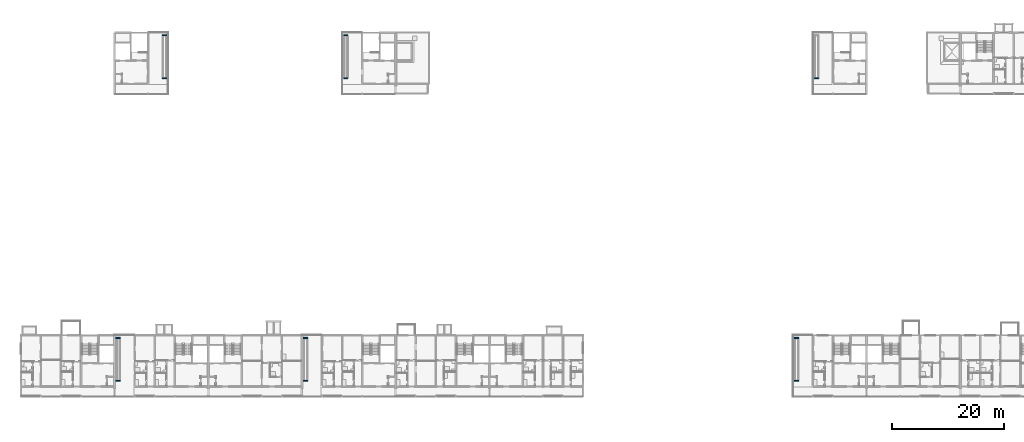
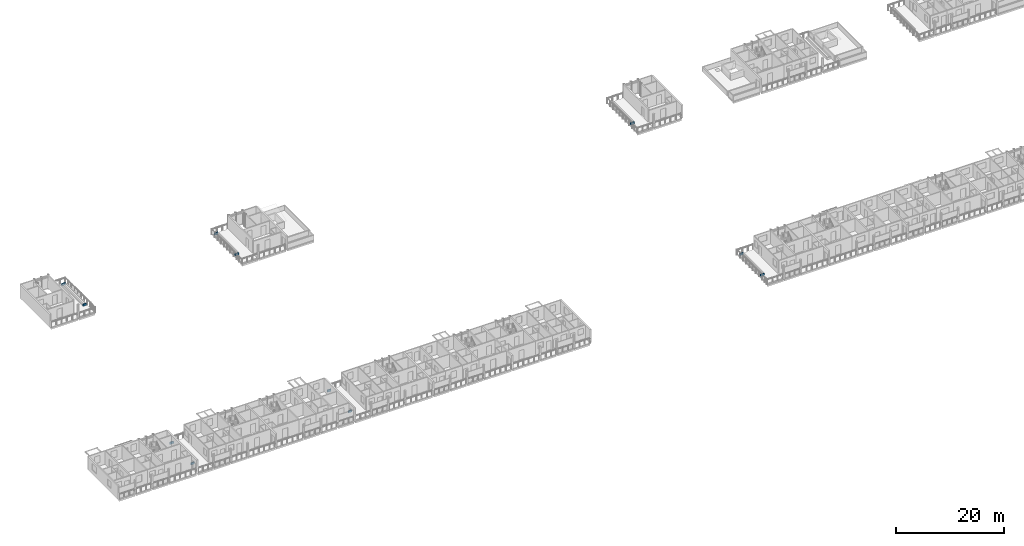
# One storey, part 51 of 78: 11 walls.
"""IFC4 building model written with IfcOpenShell, lengths in metres."""

from ifc_helpers import new_model, si_unit, direction, frame, frame_2d, origin, place, context, subcontext, project, spatial, rectangle, extrude, material, layer, layer_set, type_object, element, save


model = new_model("IFC4")

# Units and contexts
model_context = context("Model", 3, precision=1e-05, world=origin(), true_north=direction((0.0, 1.0)))
body_context = subcontext(model_context, "Body", "Model", "MODEL_VIEW")
ifc_project = project(units=[si_unit("LENGTHUNIT", "METRE"), si_unit("AREAUNIT", "SQUARE_METRE"), si_unit("VOLUMEUNIT", "CUBIC_METRE"), si_unit("PLANEANGLEUNIT", "RADIAN"), si_unit("MASSUNIT", "GRAM", prefix="KILO")], contexts=[model_context])

# Site, building, storey
site_placement = place(None, origin())
site = spatial("IfcSite", under=ifc_project, at=site_placement, CompositionType="ELEMENT")
building_placement = place(site_placement, origin())
building = spatial("IfcBuilding", under=site, at=building_placement, Name="Ridgestep Commons", CompositionType="ELEMENT")
storey_placement = place(building_placement, frame((0.0, 0.0, 30.0)))
storey = spatial("IfcBuildingStorey", under=building, at=storey_placement, Name="L10", CompositionType="ELEMENT", Elevation=30.0)

# Walls
ifc_material = material(Name="Facing brick", Category="masonry")
ifc_layer = layer(ifc_material, 0.199951171875)
ifc_layer_set = layer_set([ifc_layer], Name="Planter wall 200")
wall_type = type_object("IfcWallType", Name="Planter wall 200", PredefinedType="SOLIDWALL", material=ifc_layer_set)
for number, where, z_axis, x_axis, name in (
    (1, (29.050048828125, 14.64990234375, 0.010009765625), (0.0, 0.0, 1.0), (1.0, 0.0, 0.0), "Planter wall A2R1S"),
    (2, (29.050048828125, 22.35009765625, 0.010009765625), (0.0, 0.0, 1.0), (1.0, 0.0, 0.0), "Planter wall A2R1N"),
    (3, (62.64990234375, 14.64990234375, 0.010009765625), (0.0, 0.0, 1.0), (1.0, 0.0, 0.0), "Planter wall A4R1S"),
    (4, (62.64990234375, 22.35009765625, 0.010009765625), (0.0, 0.0, 1.0), (1.0, 0.0, 0.0), "Planter wall A4R1N"),
    (5, (150.64990234375, 14.64990234375, 0.010009765625), (0.0, 0.0, 1.0), (1.0, 0.0, 0.0), "Planter wall D1R2S"),
    (6, (150.64990234375, 22.35009765625, 0.010009765625), (0.0, 0.0, 1.0), (1.0, 0.0, 0.0), "Planter wall D1R2N"),
):
    element("IfcWall", number, at=place(storey_placement, frame(where, z_axis=z_axis, x_axis=x_axis)), inside=storey, type_object=wall_type, Name=name, PredefinedType="SOLIDWALL", context=body_context, shape_type="SweptSolid", body=[
        extrude(rectangle(XDim=0.800048828125, YDim=0.199951171875, at=frame_2d((0.39990234375, 0.0))), origin(), (0.0, 0.0, 1.0), 0.449951171875),
    ])
for number, where, z_axis, x_axis, name in (
    (7, (37.35009765625, 68.89990234375, 0.010009765625), (0.0, 0.0, 1.0), (1.0, 0.0, 0.0), "Planter wall B2R3S"),
    (8, (37.35009765625, 76.60009765625, 0.010009765625), (0.0, 0.0, 1.0), (1.0, 0.0, 0.0), "Planter wall B2R3N"),
    (9, (69.85009765625, 68.89990234375, 0.010009765625), (0.0, 0.0, 1.0), (1.0, 0.0, 0.0), "Planter wall B4R3S"),
    (10, (69.85009765625, 76.60009765625, 0.010009765625), (0.0, 0.0, 1.0), (1.0, 0.0, 0.0), "Planter wall B4R3N"),
):
    element("IfcWall", number, at=place(storey_placement, frame(where, z_axis=z_axis, x_axis=x_axis)), inside=storey, type_object=wall_type, Name=name, PredefinedType="SOLIDWALL", context=body_context, shape_type="SweptSolid", body=[
        extrude(rectangle(XDim=0.7998046875, YDim=0.199951171875, at=frame_2d((0.39990234375, 0.0))), origin(), (0.0, 0.0, 1.0), 0.449951171875),
    ])
wall_placement = place(storey_placement, frame((154.25, 68.89990234375, 0.010009765625), z_axis=(0.0, 0.0, 1.0), x_axis=(1.0, 0.0, 0.0)))
element("IfcWall", 11, at=wall_placement, inside=storey, type_object=wall_type, Name="Planter wall C1R3S", PredefinedType="SOLIDWALL", context=body_context, shape_type="SweptSolid", body=[
    extrude(rectangle(XDim=0.800048828125, YDim=0.199951171875, at=frame_2d((0.39990234375, 0.0))), origin(), (0.0, 0.0, 1.0), 0.449951171875),
])

save(model, "model.ifc")
